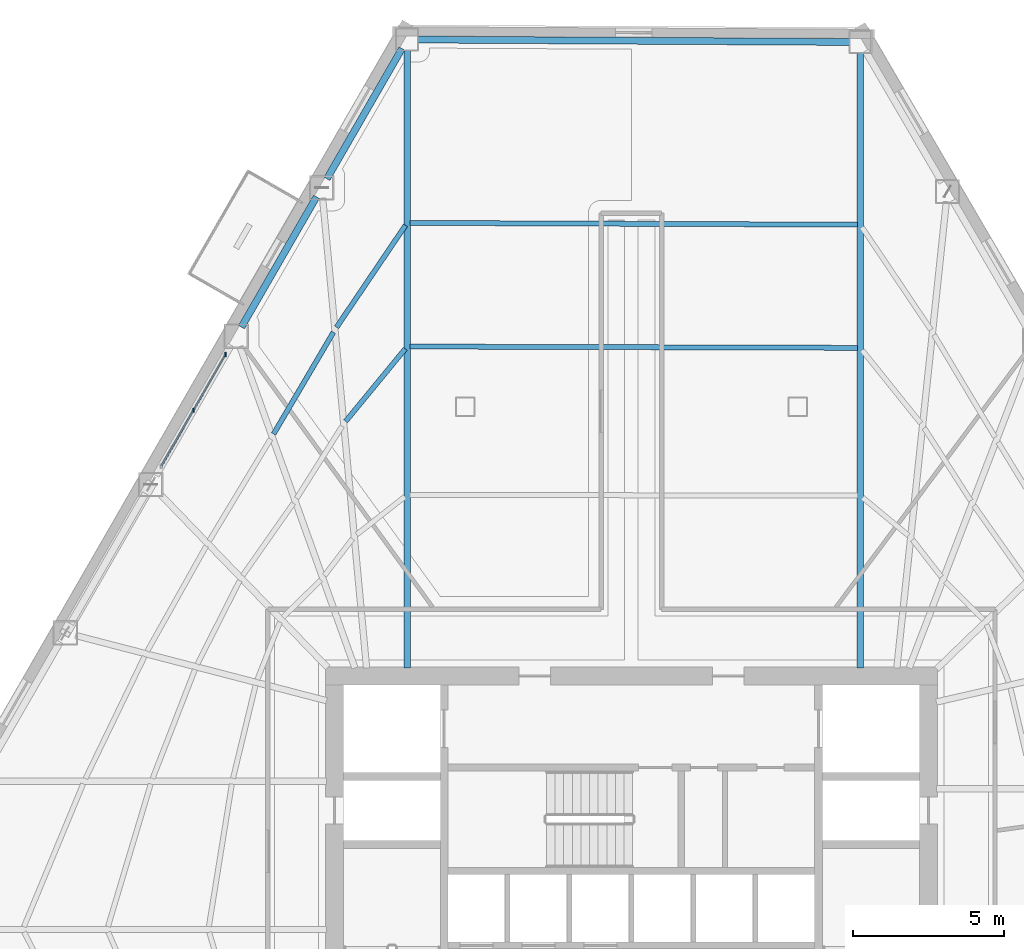
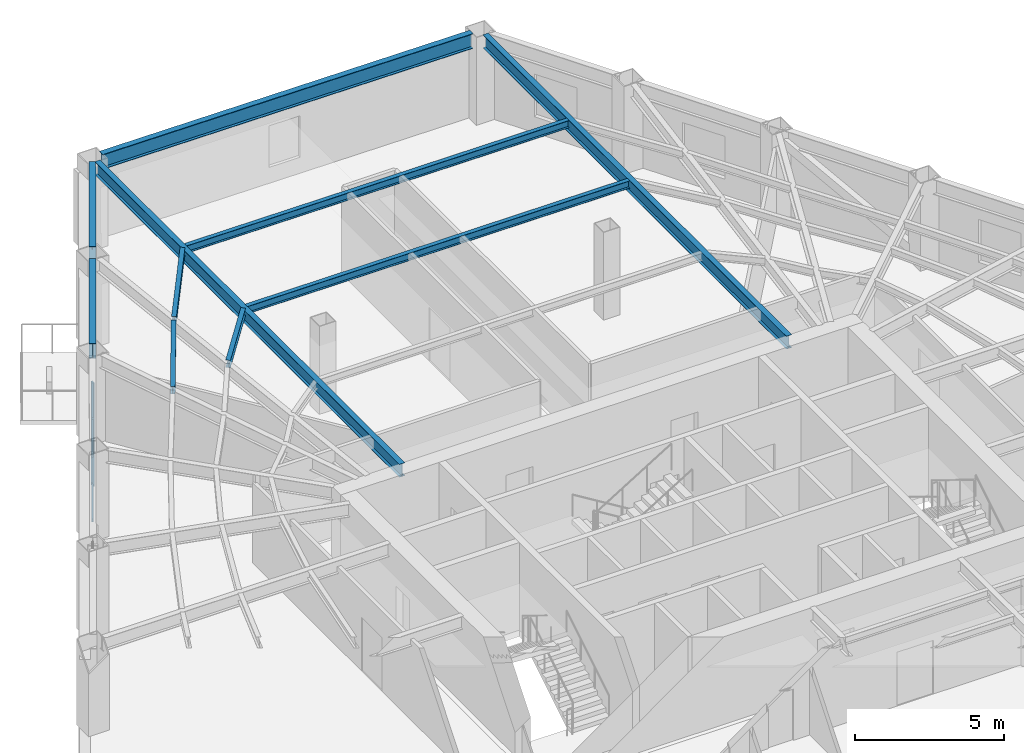
# One storey, part 4 of 16: 10 beams, 4 members, 1 element without a shape of its own.
"""IFC4 building model written with IfcOpenShell, lengths in metres."""

from ifc_helpers import new_model, si_unit, direction, frame, origin, origin_2d, place, context, subcontext, project, spatial, rectangle, i_section, extrude, material, layer, layer_set, material_profile, profile_set, type_object, element, aggregate, save


model = new_model("IFC4")

# Units and contexts
model_context = context("Model", 3, precision=1e-05, world=origin(), true_north=direction((0.0, 1.0)))
body_context = subcontext(model_context, "Body", "Model", "MODEL_VIEW")
ifc_project = project(units=[si_unit("LENGTHUNIT", "METRE"), si_unit("AREAUNIT", "SQUARE_METRE"), si_unit("VOLUMEUNIT", "CUBIC_METRE"), si_unit("PLANEANGLEUNIT", "RADIAN"), si_unit("MASSUNIT", "GRAM", prefix="KILO")], contexts=[model_context])

# Site, building, storey
site_placement = place(None, origin())
site = spatial("IfcSite", under=ifc_project, at=site_placement, CompositionType="ELEMENT")
building_placement = place(site_placement, origin())
building = spatial("IfcBuilding", under=site, at=building_placement, Name="Kavelnor Concourse Tower", CompositionType="ELEMENT")
storey_placement = place(building_placement, frame((0.0, 0.0, 48.35009765625)))
storey = spatial("IfcBuildingStorey", under=building, at=storey_placement, Name="L12", CompositionType="ELEMENT", Elevation=48.35009765625)

# Beams
ifc_material_1 = material(Name="Steel Grade 350", Category="steel")
ifc_material_profile_1 = material_profile(ifc_material_1, i_section(OverallWidth=0.166015625, OverallDepth=0.306884765625, WebThickness=0.006591796875, FlangeThickness=0.01171875, at=origin_2d()), Name="310UB46")
ifc_profile_set_1 = profile_set([ifc_material_profile_1], Name="Steel Grade 350")
beam_type_1 = type_object("IfcBeamType", Name="BM-JOIST-310", PredefinedType="JOIST", material=ifc_profile_set_1)
for number, where, z_axis, x_axis, name in (
    (1, (45.466796875, 33.74560546875, 3.4365234375), (-0.999995823889, 0.002890018152, 0.0), (-0.002890018152, -0.999995823889, 0.0), "L12 Secondary Composite Joist 15-2"),
    (2, (45.466796875, 37.81689453125, 3.4365234375), (-0.999991947959, 0.00401298108, 0.0), (-0.00401298108, -0.999991947959, 0.0), "L12 Secondary Composite Joist 15-3"),
):
    element("IfcBeam", number, at=place(storey_placement, frame(where, z_axis=z_axis, x_axis=x_axis)), inside=storey, type_object=beam_type_1, Name=name, PredefinedType="JOIST", context=body_context, shape_type="SweptSolid", body=[
        extrude(i_section(OverallWidth=0.166015625, OverallDepth=0.306884765625, WebThickness=0.006591796875, FlangeThickness=0.01171875, at=origin_2d()), origin(), (0.0, 0.0, 1.0), 14.783447265625),
    ])
beam_1_placement = place(storey_placement, frame((30.522216796875, 33.712646484375, 3.4365234375), z_axis=(-0.635111655701, -0.772420342037, 0.0), x_axis=(0.772420342037, -0.635111655701, 0.0)))
element("IfcBeam", 3, at=beam_1_placement, inside=storey, type_object=beam_type_1, Name="L12 Secondary Composite Joist 16-2", PredefinedType="JOIST", context=body_context, shape_type="SweptSolid", body=[
    extrude(i_section(OverallWidth=0.166015625, OverallDepth=0.306884765625, WebThickness=0.006591796875, FlangeThickness=0.01171875, at=origin_2d()), origin(), (0.0, 0.0, 1.0), 3.1044921875),
])
beam_2_placement = place(storey_placement, frame((30.529541015625, 37.794921875, 3.4365234375), z_axis=(-0.560134856598, -0.828401437966, 0.0), x_axis=(0.828401437966, -0.560134856598, 0.0)))
element("IfcBeam", 4, at=beam_2_placement, inside=storey, type_object=beam_type_1, Name="L12 Secondary Composite Joist 16-3", PredefinedType="JOIST", context=body_context, shape_type="SweptSolid", body=[
    extrude(i_section(OverallWidth=0.166015625, OverallDepth=0.306884765625, WebThickness=0.006591796875, FlangeThickness=0.01171875, at=origin_2d()), origin(), (0.0, 0.0, 1.0), 4.065185546875),
])
beam_3_placement = place(storey_placement, frame((28.1474609375, 34.2607421875, 3.4365234375), z_axis=(-0.507066628147, -0.861906859596, 0.0), x_axis=(0.861906859596, -0.507066628147, 0.0)))
element("IfcBeam", 5, at=beam_3_placement, inside=storey, type_object=beam_type_1, Name="L12 Secondary Composite Joist 17-3", PredefinedType="JOIST", context=body_context, shape_type="SweptSolid", body=[
    extrude(i_section(OverallWidth=0.166015625, OverallDepth=0.306884765625, WebThickness=0.006591796875, FlangeThickness=0.01171875, at=origin_2d()), origin(), (0.0, 0.0, 1.0), 3.900390625),
])
ifc_material_profile_2 = material_profile(ifc_material_1, i_section(OverallWidth=0.208984375, OverallDepth=0.528076171875, WebThickness=0.009521484375, FlangeThickness=0.01318359375, at=origin_2d()), Name="530UB82")
ifc_profile_set_2 = profile_set([ifc_material_profile_2], Name="Steel Grade 350")
beam_type_2 = type_object("IfcBeamType", Name="BM-PRIMARY-530", PredefinedType="BEAM", material=ifc_profile_set_2)
beam_4_placement = place(storey_placement, frame((30.584716796875, 23.159912109375, 3.325927734375), z_axis=(0.0, 1.0, 0.0), x_axis=(-1.0, 0.0, 0.0)))
element("IfcBeam", 6, at=beam_4_placement, inside=storey, type_object=beam_type_2, Name="L12 Primary Floor Girder F0-B0", PredefinedType="BEAM", context=body_context, shape_type="SweptSolid", body=[
    extrude(i_section(OverallWidth=0.208984375, OverallDepth=0.528076171875, WebThickness=0.009521484375, FlangeThickness=0.01318359375, at=origin_2d()), origin(), (0.0, 0.0, 1.0), 20.439697265625),
])
beam_5_placement = place(storey_placement, frame((45.5654296875, 23.159912109375, 3.325927734375), z_axis=(0.0, 1.0, 0.0), x_axis=(-1.0, 0.0, 0.0)))
element("IfcBeam", 7, at=beam_5_placement, inside=storey, type_object=beam_type_2, Name="L12 Primary Floor Girder F2-B6", PredefinedType="BEAM", context=body_context, shape_type="SweptSolid", body=[
    extrude(i_section(OverallWidth=0.208984375, OverallDepth=0.528076171875, WebThickness=0.009521484375, FlangeThickness=0.01318359375, at=origin_2d()), origin(), (0.0, 0.0, 1.0), 20.356201171875),
])
ifc_material_profile_3 = material_profile(ifc_material_1, i_section(OverallWidth=0.22900390625, OverallDepth=0.612060546875, WebThickness=0.011962890625, FlangeThickness=0.01953125, at=origin_2d()), Name="610UB125")
ifc_profile_set_3 = profile_set([ifc_material_profile_3], Name="Steel Grade 350")
beam_type_3 = type_object("IfcBeamType", Name="BM-SPANDREL-Z1", PredefinedType="SPANDREL", material=ifc_profile_set_3)
beam_6_placement = place(storey_placement, frame((30.41259765625, 43.640869140625, 3.283935546875), z_axis=(-0.499325499336, -0.86641447686, 0.0), x_axis=(0.86641447686, -0.499325499336, 0.0)))
element("IfcBeam", 8, at=beam_6_placement, inside=storey, type_object=beam_type_3, Name="L12 Perimeter Tube Spandrel Beam F0-B0", PredefinedType="SPANDREL", context=body_context, shape_type="SweptSolid", body=[
    extrude(i_section(OverallWidth=0.22900390625, OverallDepth=0.612060546875, WebThickness=0.011962890625, FlangeThickness=0.01953125, at=origin_2d()), origin(), (0.0, 0.0, 1.0), 4.969970703125),
])
beam_7_placement = place(storey_placement, frame((27.58642578125, 38.73681640625, 3.283935546875), z_axis=(-0.499309874884, -0.86642348124, 0.0), x_axis=(0.86642348124, -0.499309874884, 0.0)))
element("IfcBeam", 9, at=beam_7_placement, inside=storey, type_object=beam_type_3, Name="L12 Perimeter Tube Spandrel Beam F0-B1", PredefinedType="SPANDREL", context=body_context, shape_type="SweptSolid", body=[
    extrude(i_section(OverallWidth=0.22900390625, OverallDepth=0.612060546875, WebThickness=0.011962890625, FlangeThickness=0.01953125, at=origin_2d()), origin(), (0.0, 0.0, 1.0), 4.9697265625),
])
beam_8_placement = place(storey_placement, frame((45.220458984375, 43.85791015625, 3.283935546875), z_axis=(-0.999984396425, 0.005586314131, 0.0), x_axis=(-0.005586314131, -0.999984396425, 0.0)))
element("IfcBeam", 10, at=beam_8_placement, inside=storey, type_object=beam_type_3, Name="L12 Chamfer Facet Spandrel Beam C0", PredefinedType="SPANDREL", context=body_context, shape_type="SweptSolid", body=[
    extrude(i_section(OverallWidth=0.22900390625, OverallDepth=0.612060546875, WebThickness=0.011962890625, FlangeThickness=0.01953125, at=origin_2d()), origin(), (0.0, 0.0, 1.0), 14.291015625),
])

# Curtain wall, members
ifc_material_2 = material(Name="Anodised aluminium 6063-T6", Category="aluminium")
ifc_layer = layer(ifc_material_2, 0.139892578125, Name="Anodised aluminium 6063-T6")
ifc_layer_set = layer_set([ifc_layer], Name="Anodised aluminium 6063-T6")
curtain_wall_type = type_object("IfcCurtainWallType", Name="CW-TERRACE-PAVILION", PredefinedType="NOTDEFINED", material=ifc_layer_set)
curtain_wall_placement = place(storey_placement, origin())
curtain_wall = element("IfcCurtainWall", 11, at=curtain_wall_placement, inside=storey, type_object=curtain_wall_type, Name="L12 Terrace Pavilion Curtain Wall", PredefinedType="NOTDEFINED")
ifc_material_profile_4 = material_profile(ifc_material_2, rectangle(XDim=0.054931640625, YDim=0.139892578125, at=origin_2d()), Name="AL-MULL 55x140")
ifc_profile_set_4 = profile_set([ifc_material_profile_4], Name="Anodised aluminium 6063-T6")
member_type_1 = type_object("IfcMemberType", Name="CW-TERRACE-PAVILION-MULL", PredefinedType="MULLION", material=ifc_profile_set_4)
member_1_placement = place(storey_placement, frame((24.583251953125, 33.525390625, 0.0), z_axis=(0.0, 0.0, 1.0), x_axis=(1.0, 0.0, 0.0)))
member_1 = element("IfcMember", 12, at=member_1_placement, type_object=member_type_1, Name="L12 Terrace Pavilion Curtain Wall Mullion 0", PredefinedType="MULLION", context=body_context, shape_type="SweptSolid", body=[
    extrude(rectangle(XDim=0.054931640625, YDim=0.139892578125, at=origin_2d()), origin(), (0.0, 0.0, 1.0), 2.75),
])
member_2_placement = place(storey_placement, frame((23.51953125, 31.679931640625, 0.0), z_axis=(0.0, 0.0, 1.0), x_axis=(1.0, 0.0, 0.0)))
member_2 = element("IfcMember", 13, at=member_2_placement, type_object=member_type_1, Name="L12 Terrace Pavilion Curtain Wall Mullion 1", PredefinedType="MULLION", context=body_context, shape_type="SweptSolid", body=[
    extrude(rectangle(XDim=0.054931640625, YDim=0.139892578125, at=origin_2d()), origin(), (0.0, 0.0, 1.0), 2.75),
])
ifc_material_profile_5 = material_profile(ifc_material_2, rectangle(XDim=0.054931640625, YDim=0.1201171875, at=origin_2d()), Name="AL-TRAN 55x120")
ifc_profile_set_5 = profile_set([ifc_material_profile_5], Name="Anodised aluminium 6063-T6")
member_type_2 = type_object("IfcMemberType", Name="CW-TERRACE-PAVILION-TRAN", PredefinedType="USERDEFINED", material=ifc_profile_set_5)
member_3_placement = place(storey_placement, frame((24.583251953125, 33.525390625, 0.059814453125), z_axis=(-0.499338728956, -0.86640685233, 0.0), x_axis=(0.86640685233, -0.499338728956, 0.0)))
member_3 = element("IfcMember", 14, at=member_3_placement, type_object=member_type_2, Name="L12 Terrace Pavilion Curtain Wall Transom 0-BOT", ObjectType="TRANSOM", PredefinedType="USERDEFINED", context=body_context, shape_type="SweptSolid", body=[
    extrude(rectangle(XDim=0.054931640625, YDim=0.1201171875, at=origin_2d()), origin(), (0.0, 0.0, 1.0), 4.260009765625),
])
member_4_placement = place(storey_placement, frame((24.583251953125, 33.525390625, 2.68994140625), z_axis=(-0.499338728956, -0.86640685233, 0.0), x_axis=(0.86640685233, -0.499338728956, 0.0)))
member_4 = element("IfcMember", 15, at=member_4_placement, type_object=member_type_2, Name="L12 Terrace Pavilion Curtain Wall Transom 0-TOP", ObjectType="TRANSOM", PredefinedType="USERDEFINED", context=body_context, shape_type="SweptSolid", body=[
    extrude(rectangle(XDim=0.054931640625, YDim=0.1201171875, at=origin_2d()), origin(), (0.0, 0.0, 1.0), 4.260009765625),
])
aggregate(curtain_wall, [member_1, member_2, member_3, member_4])

save(model, "model.ifc")
